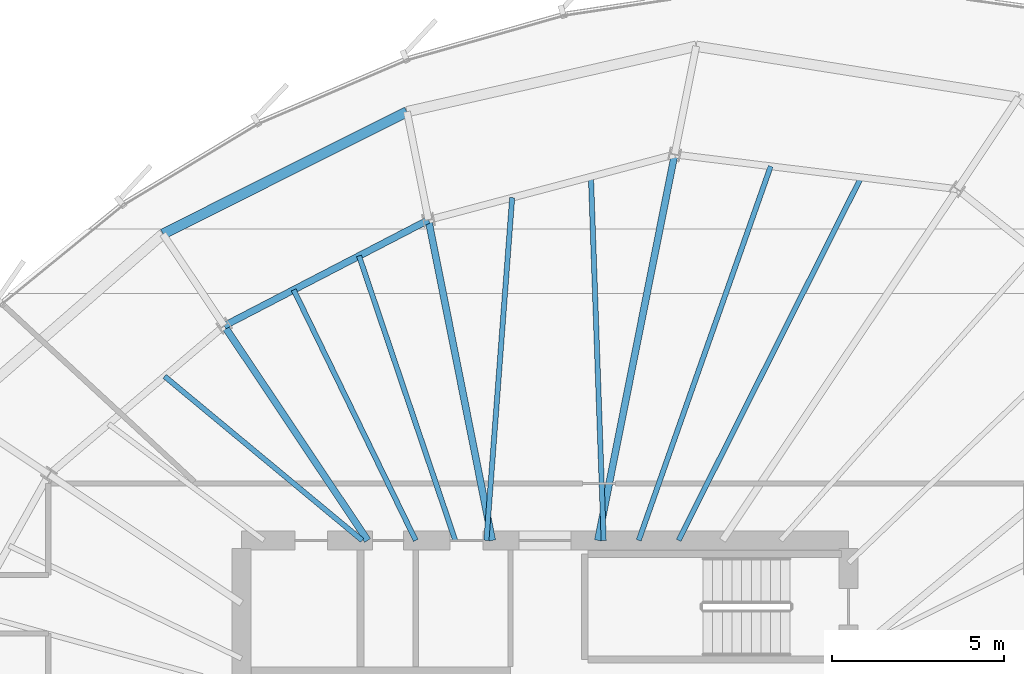
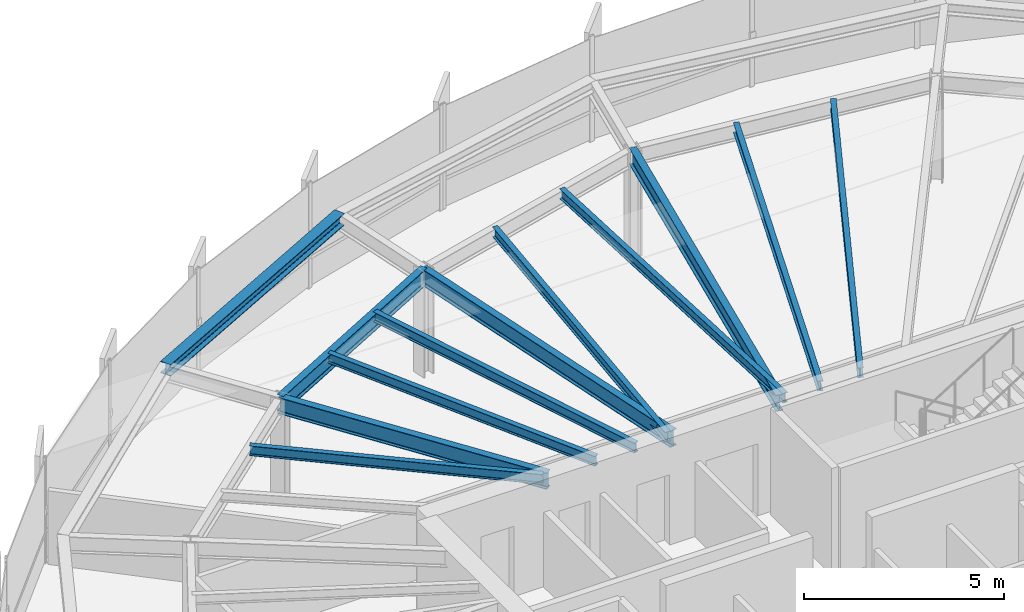
# One storey, part 22 of 36: 12 beams.
"""IFC4 building model written with IfcOpenShell, lengths in metres."""

from ifc_helpers import new_model, si_unit, direction, frame, origin, origin_2d, place, context, subcontext, project, spatial, i_section, extrude, source, transform, mapped, material, material_profile, profile_set, type_object, element, save


model = new_model("IFC4")

# Units and contexts
model_context = context("Model", 3, precision=1e-05, world=origin(), true_north=direction((0.0, 1.0)))
body_context = subcontext(model_context, "Body", "Model", "MODEL_VIEW")
ifc_project = project(units=[si_unit("LENGTHUNIT", "METRE"), si_unit("AREAUNIT", "SQUARE_METRE"), si_unit("VOLUMEUNIT", "CUBIC_METRE"), si_unit("PLANEANGLEUNIT", "RADIAN"), si_unit("MASSUNIT", "GRAM", prefix="KILO"), si_unit("THERMODYNAMICTEMPERATUREUNIT", "KELVIN")], contexts=[model_context])

# Site, building, storey
site_placement = place(None, origin())
site = spatial("IfcSite", under=ifc_project, at=site_placement, CompositionType="ELEMENT")
building_placement = place(site_placement, origin())
building = spatial("IfcBuilding", under=site, at=building_placement, Name="Kethvar Cultural Tower", CompositionType="ELEMENT")
storey_placement = place(building_placement, frame((0.0, 0.0, 176.39990234375)))
storey = spatial("IfcBuildingStorey", under=building, at=storey_placement, Name="L45", CompositionType="ELEMENT", Elevation=176.39990234375)

# Beams
ifc_material = material(Name="Steel S355J2", Category="steel")
ifc_material_profile_1 = material_profile(ifc_material, i_section(OverallWidth=0.199951171875, OverallDepth=0.5, WebThickness=0.01025390625, FlangeThickness=0.01611328125, FilletRadius=0.02099609375, at=origin_2d()), Name="Steel S355J2 — IPE500")
ifc_profile_set_1 = profile_set([ifc_material_profile_1], Name="Steel S355J2 — IPE500")
beam_type_1 = type_object("IfcBeamType", Name="BM-IPE500", PredefinedType="BEAM", material=ifc_profile_set_1)
shared_shape_1 = source(origin(), body_context, "Body", "SweptSolid", [
    extrude(i_section(OverallWidth=0.199951171875, OverallDepth=0.5, WebThickness=0.01025390625, FlangeThickness=0.01611328125, FilletRadius=0.02099609375, at=origin_2d()), origin(), (0.0, 0.0, 1.0), 11.40673828125),
])
beam_1_placement = place(storey_placement, frame((48.33154296875, 35.5, 3.008056640625), z_axis=(0.195091138918, 0.980785117911, 0.0), x_axis=(-0.980785117911, 0.195091138918, 0.0)))
element("IfcBeam", 1, at=beam_1_placement, inside=storey, type_object=beam_type_1, Name="L45 Primary Radial Beam RB-04", PredefinedType="BEAM", context=body_context, shape_type="MappedRepresentation", body=[
    mapped(shared_shape_1, transform((0.0, 0.0, 0.0), scale=1.0)),
])
shared_shape_2 = source(origin(), body_context, "Body", "SweptSolid", [
    extrude(i_section(OverallWidth=0.199951171875, OverallDepth=0.5, WebThickness=0.01025390625, FlangeThickness=0.01611328125, FilletRadius=0.02099609375, at=origin_2d()), origin(), (0.0, 0.0, 1.0), 9.47119140625),
])
beam_2_placement = place(storey_placement, frame((45.268310546875, 35.5, 3.008056640625), z_axis=(-0.195079990396, 0.980787335434, 0.0), x_axis=(-0.980787335434, -0.195079990396, 0.0)))
element("IfcBeam", 2, at=beam_2_placement, inside=storey, type_object=beam_type_1, Name="L45 Primary Radial Beam RB-05", PredefinedType="BEAM", context=body_context, shape_type="MappedRepresentation", body=[
    mapped(shared_shape_2, transform((0.0, 0.0, 0.0), scale=1.0)),
])
shared_shape_3 = source(origin(), body_context, "Body", "SweptSolid", [
    extrude(i_section(OverallWidth=0.199951171875, OverallDepth=0.5, WebThickness=0.01025390625, FlangeThickness=0.01611328125, FilletRadius=0.02099609375, at=origin_2d()), origin(), (0.0, 0.0, 1.0), 7.481201171875),
])
beam_3_placement = place(storey_placement, frame((41.655029296875, 35.5, 3.008056640625), z_axis=(-0.55555842186, 0.831477504146, 0.0), x_axis=(-0.831477504146, -0.55555842186, 0.0)))
element("IfcBeam", 3, at=beam_3_placement, inside=storey, type_object=beam_type_1, Name="L45 Primary Radial Beam RB-06", PredefinedType="BEAM", context=body_context, shape_type="MappedRepresentation", body=[
    mapped(shared_shape_3, transform((0.0, 0.0, 0.0), scale=1.0)),
])
ifc_material_profile_2 = material_profile(ifc_material, i_section(OverallWidth=0.14990234375, OverallDepth=0.300048828125, WebThickness=0.007080078125, FlangeThickness=0.0107421875, FilletRadius=0.014892578125, at=origin_2d()), Name="Steel S355J2 — IPE300")
ifc_profile_set_2 = profile_set([ifc_material_profile_2], Name="Steel S355J2 — IPE300")
beam_type_2 = type_object("IfcBeamType", Name="BM-J300", PredefinedType="JOIST", material=ifc_profile_set_2)
shared_shape_4 = source(origin(), body_context, "Body", "SweptSolid", [
    extrude(i_section(OverallWidth=0.14990234375, OverallDepth=0.300048828125, WebThickness=0.007080078125, FlangeThickness=0.0107421875, FilletRadius=0.014892578125, at=origin_2d()), origin(), (0.0, 0.0, 1.0), 11.77880859375),
])
beam_4_placement = place(storey_placement, frame((50.671630859375, 35.5, 3.108154296875), z_axis=(0.449218855458, 0.893421748057, 0.0), x_axis=(-0.893421748057, 0.449218855458, 0.0)))
element("IfcBeam", 4, at=beam_4_placement, inside=storey, type_object=beam_type_2, Name="L45 Composite Floor Joist J-03A", PredefinedType="JOIST", context=body_context, shape_type="MappedRepresentation", body=[
    mapped(shared_shape_4, transform((0.0, 0.0, 0.0), scale=1.0)),
])
shared_shape_5 = source(origin(), body_context, "Body", "SweptSolid", [
    extrude(i_section(OverallWidth=0.14990234375, OverallDepth=0.300048828125, WebThickness=0.007080078125, FlangeThickness=0.0107421875, FilletRadius=0.014892578125, at=origin_2d()), origin(), (0.0, 0.0, 1.0), 11.50048828125),
])
beam_5_placement = place(storey_placement, frame((49.51611328125, 35.5, 3.108154296875), z_axis=(0.332655768875, 0.943048322958, 0.0), x_axis=(-0.943048322958, 0.332655768875, 0.0)))
element("IfcBeam", 5, at=beam_5_placement, inside=storey, type_object=beam_type_2, Name="L45 Composite Floor Joist J-03B", PredefinedType="JOIST", context=body_context, shape_type="MappedRepresentation", body=[
    mapped(shared_shape_5, transform((0.0, 0.0, 0.0), scale=1.0)),
])
shared_shape_6 = source(origin(), body_context, "Body", "SweptSolid", [
    extrude(i_section(OverallWidth=0.14990234375, OverallDepth=0.300048828125, WebThickness=0.007080078125, FlangeThickness=0.0107421875, FilletRadius=0.014892578125, at=origin_2d()), origin(), (0.0, 0.0, 1.0), 10.54833984375),
])
beam_6_placement = place(storey_placement, frame((48.5, 35.5, 3.108154296875), z_axis=(-0.035017879941, 0.999386685965, 0.0), x_axis=(-0.999386685965, -0.035017879941, 0.0)))
element("IfcBeam", 6, at=beam_6_placement, inside=storey, type_object=beam_type_2, Name="L45 Composite Floor Joist J-04A", PredefinedType="JOIST", context=body_context, shape_type="MappedRepresentation", body=[
    mapped(shared_shape_6, transform((0.0, 0.0, 0.0), scale=1.0)),
])
shared_shape_7 = source(origin(), body_context, "Body", "SweptSolid", [
    extrude(i_section(OverallWidth=0.14990234375, OverallDepth=0.300048828125, WebThickness=0.007080078125, FlangeThickness=0.0107421875, FilletRadius=0.014892578125, at=origin_2d()), origin(), (0.0, 0.0, 1.0), 9.962646484375),
])
beam_7_placement = place(storey_placement, frame((45.10009765625, 35.5, 3.108154296875), z_axis=(0.074962964429, 0.99718631858, 0.0), x_axis=(-0.99718631858, 0.074962964429, 0.0)))
element("IfcBeam", 7, at=beam_7_placement, inside=storey, type_object=beam_type_2, Name="L45 Composite Floor Joist J-04B", PredefinedType="JOIST", context=body_context, shape_type="MappedRepresentation", body=[
    mapped(shared_shape_7, transform((0.0, 0.0, 0.0), scale=1.0)),
])
shared_shape_8 = source(origin(), body_context, "Body", "SweptSolid", [
    extrude(i_section(OverallWidth=0.199951171875, OverallDepth=0.5, WebThickness=0.01025390625, FlangeThickness=0.01611328125, FilletRadius=0.02099609375, at=origin_2d()), origin(), (0.0, 0.0, 1.0), 6.669921875),
])
beam_8_placement = place(storey_placement, frame((43.420654296875, 44.789306640625, 3.008056640625), z_axis=(-0.887861983948, -0.460109875421, 0.0), x_axis=(0.460109875421, -0.887861983948, 0.0)))
element("IfcBeam", 8, at=beam_8_placement, inside=storey, type_object=beam_type_1, Name="L45 Column Ring Tie Beam CR-05", PredefinedType="BEAM", context=body_context, shape_type="MappedRepresentation", body=[
    mapped(shared_shape_8, transform((0.0, 0.0, 0.0), scale=1.0)),
])
ifc_material_profile_3 = material_profile(ifc_material, i_section(OverallWidth=0.300048828125, OverallDepth=0.360107421875, WebThickness=0.012451171875, FlangeThickness=0.0224609375, FilletRadius=0.027099609375, at=origin_2d()), Name="Steel S355J2 — HEB360")
ifc_profile_set_3 = profile_set([ifc_material_profile_3], Name="Steel S355J2 — HEB360")
beam_type_3 = type_object("IfcBeamType", Name="BM-SP360", PredefinedType="SPANDREL", material=ifc_profile_set_3)
shared_shape_9 = source(origin(), body_context, "Body", "SweptSolid", [
    extrude(i_section(OverallWidth=0.300048828125, OverallDepth=0.360107421875, WebThickness=0.012451171875, FlangeThickness=0.0224609375, FilletRadius=0.027099609375, at=origin_2d()), origin(), (0.0, 0.0, 1.0), 7.91455078125),
])
beam_9_placement = place(storey_placement, frame((42.79638671875, 47.927734375, 3.078125), z_axis=(-0.893976371529, -0.44811410059, 0.0), x_axis=(0.44811410059, -0.893976371529, 0.0)))
element("IfcBeam", 9, at=beam_9_placement, inside=storey, type_object=beam_type_3, Name="L45 Perimeter Spandrel Beam SP-05", PredefinedType="SPANDREL", context=body_context, shape_type="MappedRepresentation", body=[
    mapped(shared_shape_9, transform((0.0, 0.0, 0.0), scale=1.0)),
])
shared_shape_10 = source(origin(), body_context, "Body", "SweptSolid", [
    extrude(i_section(OverallWidth=0.14990234375, OverallDepth=0.300048828125, WebThickness=0.007080078125, FlangeThickness=0.0107421875, FilletRadius=0.014892578125, at=origin_2d()), origin(), (0.0, 0.0, 1.0), 8.70458984375),
])
beam_10_placement = place(storey_placement, frame((44.19580078125, 35.5, 3.108154296875), z_axis=(-0.320356133074, 0.947297180404, 0.0), x_axis=(-0.947297180404, -0.320356133074, 0.0)))
element("IfcBeam", 10, at=beam_10_placement, inside=storey, type_object=beam_type_2, Name="L45 Composite Floor Joist J-05A", PredefinedType="JOIST", context=body_context, shape_type="MappedRepresentation", body=[
    mapped(shared_shape_10, transform((0.0, 0.0, 0.0), scale=1.0)),
])
shared_shape_11 = source(origin(), body_context, "Body", "SweptSolid", [
    extrude(i_section(OverallWidth=0.14990234375, OverallDepth=0.300048828125, WebThickness=0.007080078125, FlangeThickness=0.0107421875, FilletRadius=0.014892578125, at=origin_2d()), origin(), (0.0, 0.0, 1.0), 8.07958984375),
])
beam_11_placement = place(storey_placement, frame((43.0498046875, 35.5, 3.108154296875), z_axis=(-0.437846062021, 0.89904995744, 0.0), x_axis=(-0.89904995744, -0.437846062021, 0.0)))
element("IfcBeam", 11, at=beam_11_placement, inside=storey, type_object=beam_type_2, Name="L45 Composite Floor Joist J-05B", PredefinedType="JOIST", context=body_context, shape_type="MappedRepresentation", body=[
    mapped(shared_shape_11, transform((0.0, 0.0, 0.0), scale=1.0)),
])
shared_shape_12 = source(origin(), body_context, "Body", "SweptSolid", [
    extrude(i_section(OverallWidth=0.14990234375, OverallDepth=0.300048828125, WebThickness=0.007080078125, FlangeThickness=0.0107421875, FilletRadius=0.014892578125, at=origin_2d()), origin(), (0.0, 0.0, 1.0), 7.444580078125),
])
beam_12_placement = place(storey_placement, frame((41.5, 35.5, 3.108154296875), z_axis=(-0.769483166858, 0.638667093188, 0.0), x_axis=(-0.638667093188, -0.769483166858, 0.0)))
element("IfcBeam", 12, at=beam_12_placement, inside=storey, type_object=beam_type_2, Name="L45 Composite Floor Joist J-06A", PredefinedType="JOIST", context=body_context, shape_type="MappedRepresentation", body=[
    mapped(shared_shape_12, transform((0.0, 0.0, 0.0), scale=1.0)),
])

save(model, "model.ifc")
